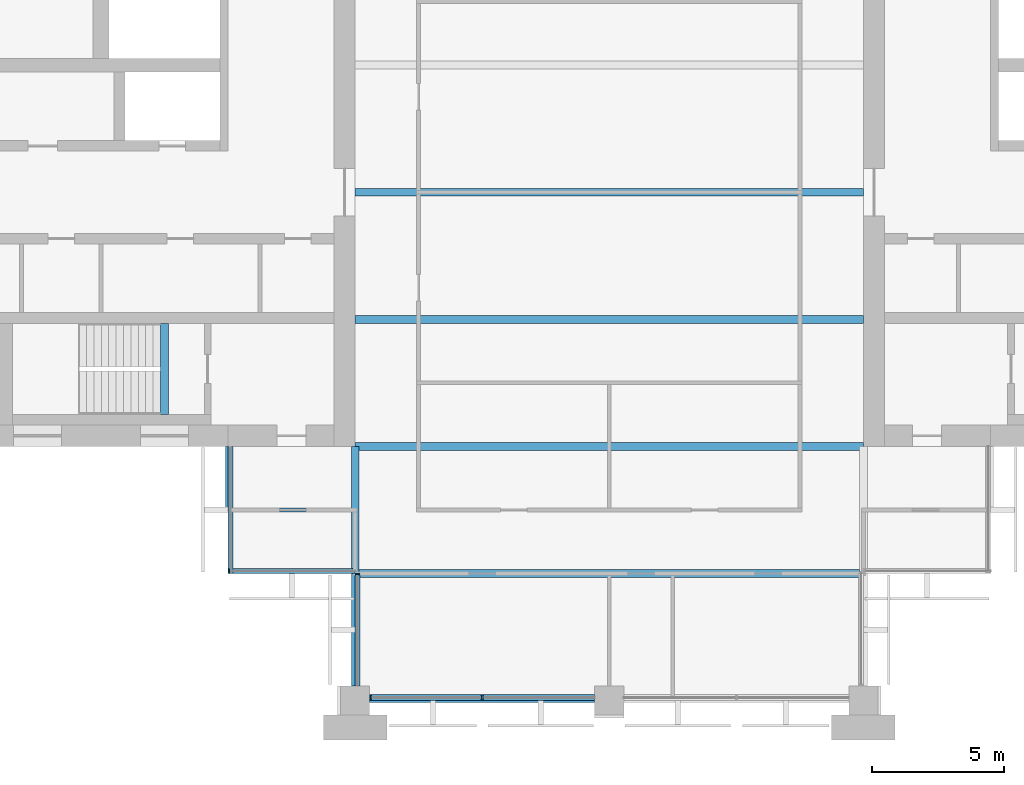
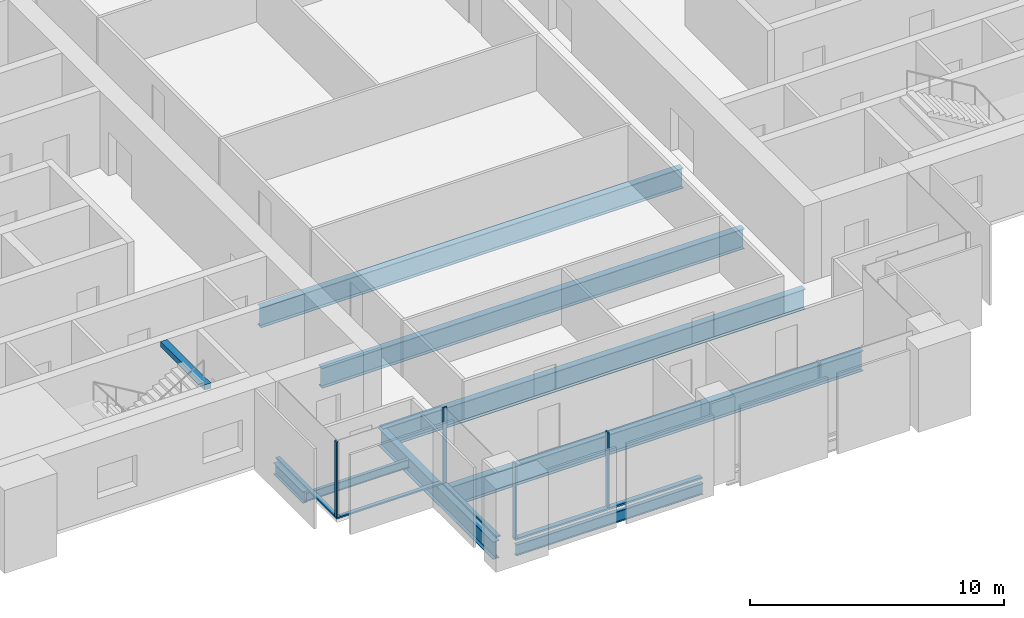
# One storey, part 2 of 13: 9 beams, 8 members, 4 elements without a shape of their own.
"""IFC4 building model written with IfcOpenShell, lengths in metres."""

from ifc_helpers import new_model, si_unit, direction, frame, origin, origin_2d, place, context, subcontext, project, spatial, rectangle, i_section, extrude, material, material_profile, profile_set, type_object, element, aggregate, save


model = new_model("IFC4")

# Units and contexts
model_context = context("Model", 3, precision=1e-05, world=origin(), true_north=direction((0.0, 1.0)))
body_context = subcontext(model_context, "Body", "Model", "MODEL_VIEW")
ifc_project = project(units=[si_unit("LENGTHUNIT", "METRE"), si_unit("AREAUNIT", "SQUARE_METRE"), si_unit("VOLUMEUNIT", "CUBIC_METRE"), si_unit("PLANEANGLEUNIT", "RADIAN"), si_unit("MASSUNIT", "GRAM", prefix="KILO")], contexts=[model_context])

# Site, building, storey
site_placement = place(None, origin())
site = spatial("IfcSite", under=ifc_project, at=site_placement, CompositionType="ELEMENT")
building_placement = place(site_placement, origin())
building = spatial("IfcBuilding", under=site, at=building_placement, Name="Baori Bourse Tower", CompositionType="ELEMENT")
storey_placement = place(building_placement, frame((0.0, 0.0, 261.199951171875)))
storey = spatial("IfcBuildingStorey", under=building, at=storey_placement, Name="L58", CompositionType="ELEMENT", Elevation=261.199951171875)

# Curtain wall, member
ifc_material_1 = material(Name="Pale anodised aluminium", Category="aluminium")
curtain_wall_type_1 = type_object("IfcCurtainWallType", Name="CW2 Curtain wall", PredefinedType="NOTDEFINED", material=ifc_material_1)
curtain_wall_1_placement = place(storey_placement, origin())
curtain_wall_1 = element("IfcCurtainWall", 1, at=curtain_wall_1_placement, inside=storey, type_object=curtain_wall_type_1, Name="Curtain wall CW2 L58 9", PredefinedType="NOTDEFINED")
ifc_material_2 = material(Name="Pale anodised aluminium", Category="aluminium")
ifc_material_profile_1 = material_profile(ifc_material_2, rectangle(XDim=0.179931640625, YDim=0.054931640625, at=origin_2d()), Name="Mullion 55x180")
ifc_profile_set_1 = profile_set([ifc_material_profile_1], Name="Pale anodised aluminium")
member_type_1 = type_object("IfcMemberType", Name="CW2 Curtain wall mullion", PredefinedType="MULLION", material=ifc_profile_set_1)
member_1_placement = place(storey_placement, frame((14.427490234375, 4.889892578125, 0.070068359375), z_axis=(0.0, 0.0, 1.0), x_axis=(0.0, 1.0, 0.0)))
member_1 = element("IfcMember", 2, at=member_1_placement, type_object=member_type_1, Name="Curtain wall CW2 mullion", PredefinedType="MULLION", context=body_context, shape_type="SweptSolid", body=[
    extrude(rectangle(XDim=0.179931640625, YDim=0.054931640625, at=origin_2d()), origin(), (0.0, 0.0, 1.0), 3.6298828125),
])

curtain_wall_2_placement = place(storey_placement, origin())
curtain_wall_2 = element("IfcCurtainWall", 3, at=curtain_wall_2_placement, inside=storey, type_object=curtain_wall_type_1, Name="Curtain wall CW2 L58 10", PredefinedType="NOTDEFINED")
member_2_placement = place(storey_placement, frame((19.2900390625, 4.7724609375, 0.070068359375), z_axis=(0.0, 0.0, 1.0), x_axis=(1.0, 0.0, 0.0)))
member_2 = element("IfcMember", 4, at=member_2_placement, type_object=member_type_1, Name="Curtain wall CW2 mullion", PredefinedType="MULLION", context=body_context, shape_type="SweptSolid", body=[
    extrude(rectangle(XDim=0.179931640625, YDim=0.054931640625, at=origin_2d()), origin(), (0.0, 0.0, 1.0), 3.6298828125),
])

curtain_wall_3_placement = place(storey_placement, origin())
curtain_wall_3 = element("IfcCurtainWall", 5, at=curtain_wall_3_placement, inside=storey, type_object=curtain_wall_type_1, Name="Curtain wall CW2 L58 8", PredefinedType="NOTDEFINED")
ifc_material_3 = material(Name="Pale anodised aluminium", Category="aluminium")
ifc_material_profile_2 = material_profile(ifc_material_3, rectangle(XDim=0.179931640625, YDim=0.070068359375, at=origin_2d()), Name="Transom 70x180")
ifc_profile_set_2 = profile_set([ifc_material_profile_2], Name="Pale anodised aluminium")
member_type_2 = type_object("IfcMemberType", Name="CW2 Curtain wall transom", PredefinedType="USERDEFINED", material=ifc_profile_set_2)
member_3_placement = place(storey_placement, frame((14.489990234375, 9.60009765625, 0.03515625), z_axis=(0.0, -1.0, 0.0), x_axis=(1.0, 0.0, 0.0)))
member_3 = element("IfcMember", 6, at=member_3_placement, type_object=member_type_2, Name="Curtain wall CW2 sill rail", ObjectType="TRANSOM", PredefinedType="USERDEFINED", context=body_context, shape_type="SweptSolid", body=[
    extrude(rectangle(XDim=0.179931640625, YDim=0.070068359375, at=origin_2d()), origin(), (0.0, 0.0, 1.0), 4.800048828125),
])
aggregate(curtain_wall_3, [member_3])

# Member
member_4_placement = place(storey_placement, frame((14.39990234375, 4.889892578125, 0.03515625), z_axis=(1.0, 0.0, 0.0), x_axis=(0.0, 1.0, 0.0)))
member_4 = element("IfcMember", 7, at=member_4_placement, type_object=member_type_2, Name="Curtain wall CW2 sill rail", ObjectType="TRANSOM", PredefinedType="USERDEFINED", context=body_context, shape_type="SweptSolid", body=[
    extrude(rectangle(XDim=0.179931640625, YDim=0.070068359375, at=origin_2d()), origin(), (0.0, 0.0, 1.0), 4.800048828125),
])

aggregate(curtain_wall_1, [member_4, member_1])

member_5_placement = place(storey_placement, frame((19.2900390625, 4.800048828125, 0.03515625), z_axis=(0.0, -1.0, 0.0), x_axis=(1.0, 0.0, 0.0)))
member_5 = element("IfcMember", 8, at=member_5_placement, type_object=member_type_2, Name="Curtain wall CW2 sill rail", ObjectType="TRANSOM", PredefinedType="USERDEFINED", context=body_context, shape_type="SweptSolid", body=[
    extrude(rectangle(XDim=0.179931640625, YDim=0.070068359375, at=origin_2d()), origin(), (0.0, 0.0, 1.0), 4.25),
])

aggregate(curtain_wall_2, [member_5, member_2])

# Curtain wall, members
ifc_material_4 = material(Name="Pale anodised aluminium", Category="aluminium")
curtain_wall_type_2 = type_object("IfcCurtainWallType", Name="CW5 Curtain wall", PredefinedType="NOTDEFINED", material=ifc_material_4)
curtain_wall_4_placement = place(storey_placement, origin())
curtain_wall_4 = element("IfcCurtainWall", 9, at=curtain_wall_4_placement, inside=storey, type_object=curtain_wall_type_2, Name="Curtain wall CW5 L58 11", PredefinedType="NOTDEFINED")
ifc_material_5 = material(Name="Pale anodised aluminium", Category="aluminium")
ifc_material_profile_3 = material_profile(ifc_material_5, rectangle(XDim=0.219970703125, YDim=0.06494140625, at=origin_2d()), Name="Mullion 65x220")
ifc_profile_set_3 = profile_set([ifc_material_profile_3], Name="Pale anodised aluminium")
member_type_3 = type_object("IfcMemberType", Name="CW5 Curtain wall mullion", PredefinedType="MULLION", material=ifc_profile_set_3)
member_6_placement = place(storey_placement, frame((19.782470703125, 0.110107421875, 0.0849609375), z_axis=(0.0, 0.0, 1.0), x_axis=(0.0, 1.0, 0.0)))
member_6 = element("IfcMember", 10, at=member_6_placement, type_object=member_type_3, Name="Curtain wall CW5 mullion", PredefinedType="MULLION", context=body_context, shape_type="SweptSolid", body=[
    extrude(rectangle(XDim=0.219970703125, YDim=0.06494140625, at=origin_2d()), origin(), (0.0, 0.0, 1.0), 3.614990234375),
])
member_7_placement = place(storey_placement, frame((24.0, 0.110107421875, 0.0849609375), z_axis=(0.0, 0.0, 1.0), x_axis=(0.0, 1.0, 0.0)))
member_7 = element("IfcMember", 11, at=member_7_placement, type_object=member_type_3, Name="Curtain wall CW5 mullion", PredefinedType="MULLION", context=body_context, shape_type="SweptSolid", body=[
    extrude(rectangle(XDim=0.219970703125, YDim=0.06494140625, at=origin_2d()), origin(), (0.0, 0.0, 1.0), 3.614990234375),
])
ifc_material_6 = material(Name="Pale anodised aluminium", Category="aluminium")
ifc_material_profile_4 = material_profile(ifc_material_6, rectangle(XDim=0.219970703125, YDim=0.0849609375, at=origin_2d()), Name="Transom 85x220")
ifc_profile_set_4 = profile_set([ifc_material_profile_4], Name="Pale anodised aluminium")
member_type_4 = type_object("IfcMemberType", Name="CW5 Curtain wall transom", PredefinedType="USERDEFINED", material=ifc_profile_set_4)
member_8_placement = place(storey_placement, frame((19.75, 0.110107421875, 0.04248046875), z_axis=(1.0, 0.0, 0.0), x_axis=(0.0, 1.0, 0.0)))
member_8 = element("IfcMember", 12, at=member_8_placement, type_object=member_type_4, Name="Curtain wall CW5 sill rail", ObjectType="TRANSOM", PredefinedType="USERDEFINED", context=body_context, shape_type="SweptSolid", body=[
    extrude(rectangle(XDim=0.219970703125, YDim=0.0849609375, at=origin_2d()), origin(), (0.0, 0.0, 1.0), 8.5),
])
aggregate(curtain_wall_4, [member_8, member_6, member_7])

# Beams
ifc_material_7 = material(Name="Steel A992 Gr 50", Category="steel")
ifc_material_profile_5 = material_profile(ifc_material_7, i_section(OverallWidth=0.21240234375, OverallDepth=0.54345703125, WebThickness=0.01318359375, FlangeThickness=0.021240234375, at=origin_2d()), Name="W21x83")
ifc_profile_set_5 = profile_set([ifc_material_profile_5], Name="Steel A992 Gr 50")
beam_type_1 = type_object("IfcBeamType", Name="Core bracket W21x83", PredefinedType="BEAM", material=ifc_profile_set_5)
beam_1_placement = place(storey_placement, frame((14.39990234375, 7.270263671875, -0.431640625), z_axis=(0.0, 1.0, 0.0), x_axis=(-1.0, 0.0, 0.0)))
element("IfcBeam", 13, at=beam_1_placement, inside=storey, type_object=beam_type_1, Name="Core bracket L58", PredefinedType="BEAM", context=body_context, shape_type="SweptSolid", body=[
    extrude(i_section(OverallWidth=0.21240234375, OverallDepth=0.54345703125, WebThickness=0.01318359375, FlangeThickness=0.021240234375, at=origin_2d()), origin(), (0.0, 0.0, 1.0), 2.329833984375),
])
ifc_material_8 = material(Name="Steel A992 Gr 50", Category="steel")
ifc_material_profile_6 = material_profile(ifc_material_8, i_section(OverallWidth=0.1650390625, OverallDepth=0.52587890625, WebThickness=0.0087890625, FlangeThickness=0.011474609375, at=origin_2d()), Name="W21x44")
ifc_profile_set_6 = profile_set([ifc_material_profile_6], Name="Steel A992 Gr 50")
beam_type_2 = type_object("IfcBeamType", Name="Edge beam W21x44", PredefinedType="BEAM", material=ifc_profile_set_6)
beam_2_placement = place(storey_placement, frame((19.75, 0.0, -0.4228515625), z_axis=(1.0, 0.0, 0.0), x_axis=(0.0, 1.0, 0.0)))
element("IfcBeam", 14, at=beam_2_placement, inside=storey, type_object=beam_type_2, Name="Edge beam L58", PredefinedType="BEAM", context=body_context, shape_type="SweptSolid", body=[
    extrude(i_section(OverallWidth=0.1650390625, OverallDepth=0.52587890625, WebThickness=0.0087890625, FlangeThickness=0.011474609375, at=origin_2d()), origin(), (0.0, 0.0, 1.0), 8.5),
])
ifc_material_9 = material(Name="Steel A992 Gr 50", Category="steel")
ifc_material_profile_7 = material_profile(ifc_material_9, i_section(OverallWidth=0.2998046875, OverallDepth=0.97021484375, WebThickness=0.01611328125, FlangeThickness=0.02099609375, at=origin_2d()), Name="W40x149")
ifc_profile_set_7 = profile_set([ifc_material_profile_7], Name="Steel A992 Gr 50")
beam_type_3 = type_object("IfcBeamType", Name="Floor beam W40x149", PredefinedType="BEAM", material=ifc_profile_set_7)
beam_3_placement = place(storey_placement, frame((19.345947265625, 4.800048828125, -0.64501953125), z_axis=(1.0, 0.0, 0.0), x_axis=(0.0, 1.0, 0.0)))
element("IfcBeam", 15, at=beam_3_placement, inside=storey, type_object=beam_type_3, Name="Floor beam L58", PredefinedType="BEAM", context=body_context, shape_type="SweptSolid", body=[
    extrude(i_section(OverallWidth=0.2998046875, OverallDepth=0.97021484375, WebThickness=0.01611328125, FlangeThickness=0.02099609375, at=origin_2d()), origin(), (0.0, 0.0, 1.0), 18.907958984375),
])
for number, where, z_axis, x_axis, name in (
    (16, (19.199951171875, 9.60009765625, -0.64501953125), (1.0, 0.0, 0.0), (0.0, 1.0, 0.0), "Floor beam L58"),
    (17, (19.199951171875, 14.39990234375, -0.64501953125), (1.0, 0.0, 0.0), (0.0, 1.0, 0.0), "Floor beam L58"),
    (18, (19.199951171875, 19.199951171875, -0.64501953125), (1.0, 0.0, 0.0), (0.0, 1.0, 0.0), "Floor beam L58"),
):
    element("IfcBeam", number, at=place(storey_placement, frame(where, z_axis=z_axis, x_axis=x_axis)), inside=storey, type_object=beam_type_3, Name=name, PredefinedType="BEAM", context=body_context, shape_type="SweptSolid", body=[
        extrude(i_section(OverallWidth=0.2998046875, OverallDepth=0.97021484375, WebThickness=0.01611328125, FlangeThickness=0.02099609375, at=origin_2d()), origin(), (0.0, 0.0, 1.0), 19.199951171875),
    ])
ifc_material_10 = material(Name="Steel A992 Gr 50", Category="steel")
ifc_material_profile_8 = material_profile(ifc_material_10, i_section(OverallWidth=0.2919921875, OverallDepth=0.835693359375, WebThickness=0.013916015625, FlangeThickness=0.018798828125, at=origin_2d()), Name="W33x118")
ifc_profile_set_8 = profile_set([ifc_material_profile_8], Name="Steel A992 Gr 50")
beam_type_4 = type_object("IfcBeamType", Name="Girder W33x118", PredefinedType="BEAM", material=ifc_profile_set_8)
beam_4_placement = place(storey_placement, frame((19.199951171875, 0.550048828125, -0.577880859375), z_axis=(0.0, 1.0, 0.0), x_axis=(-1.0, 0.0, 0.0)))
element("IfcBeam", 19, at=beam_4_placement, inside=storey, type_object=beam_type_4, Name="Girder L58", PredefinedType="BEAM", context=body_context, shape_type="SweptSolid", body=[
    extrude(i_section(OverallWidth=0.2919921875, OverallDepth=0.835693359375, WebThickness=0.013916015625, FlangeThickness=0.018798828125, at=origin_2d()), origin(), (0.0, 0.0, 1.0), 9.050048828125),
])
ifc_material_11 = material(Name="Concrete f'c 50 MPa", Category="concrete")
ifc_material_profile_9 = material_profile(ifc_material_11, rectangle(XDim=0.300048828125, YDim=0.25, at=origin_2d()), Name="RC 300x250")
ifc_profile_set_9 = profile_set([ifc_material_profile_9], Name="Concrete f'c 50 MPa")
beam_type_5 = type_object("IfcBeamType", Name="Stair nib beam RC 300x250", PredefinedType="BEAM", material=ifc_profile_set_9)
beam_5_placement = place(storey_placement, frame((12.0, 10.800048828125, 3.574951171875), z_axis=(0.0, 1.0, 0.0), x_axis=(-1.0, 0.0, 0.0)))
element("IfcBeam", 20, at=beam_5_placement, inside=storey, type_object=beam_type_5, Name="Stair WA nib beam L59", PredefinedType="BEAM", context=body_context, shape_type="SweptSolid", body=[
    extrude(rectangle(XDim=0.300048828125, YDim=0.25, at=origin_2d()), origin(), (0.0, 0.0, 1.0), 3.449951171875),
])
ifc_material_12 = material(Name="Steel A992 Gr 50", Category="steel")
ifc_material_profile_10 = material_profile(ifc_material_12, i_section(OverallWidth=0.140380859375, OverallDepth=0.40380859375, WebThickness=0.007080078125, FlangeThickness=0.01123046875, at=origin_2d()), Name="W16x31")
ifc_profile_set_10 = profile_set([ifc_material_profile_10], Name="Steel A992 Gr 50")
beam_type_6 = type_object("IfcBeamType", Name="Trimmer beam W16x31", PredefinedType="BEAM", material=ifc_profile_set_10)
beam_6_placement = place(storey_placement, frame((14.39990234375, 7.199951171875, -0.36181640625), z_axis=(1.0, 0.0, 0.0), x_axis=(0.0, 1.0, 0.0)))
element("IfcBeam", 21, at=beam_6_placement, inside=storey, type_object=beam_type_6, Name="Trimmer beam L58", PredefinedType="BEAM", context=body_context, shape_type="SweptSolid", body=[
    extrude(i_section(OverallWidth=0.140380859375, OverallDepth=0.40380859375, WebThickness=0.007080078125, FlangeThickness=0.01123046875, at=origin_2d()), origin(), (0.0, 0.0, 1.0), 4.654052734375),
])

save(model, "model.ifc")
